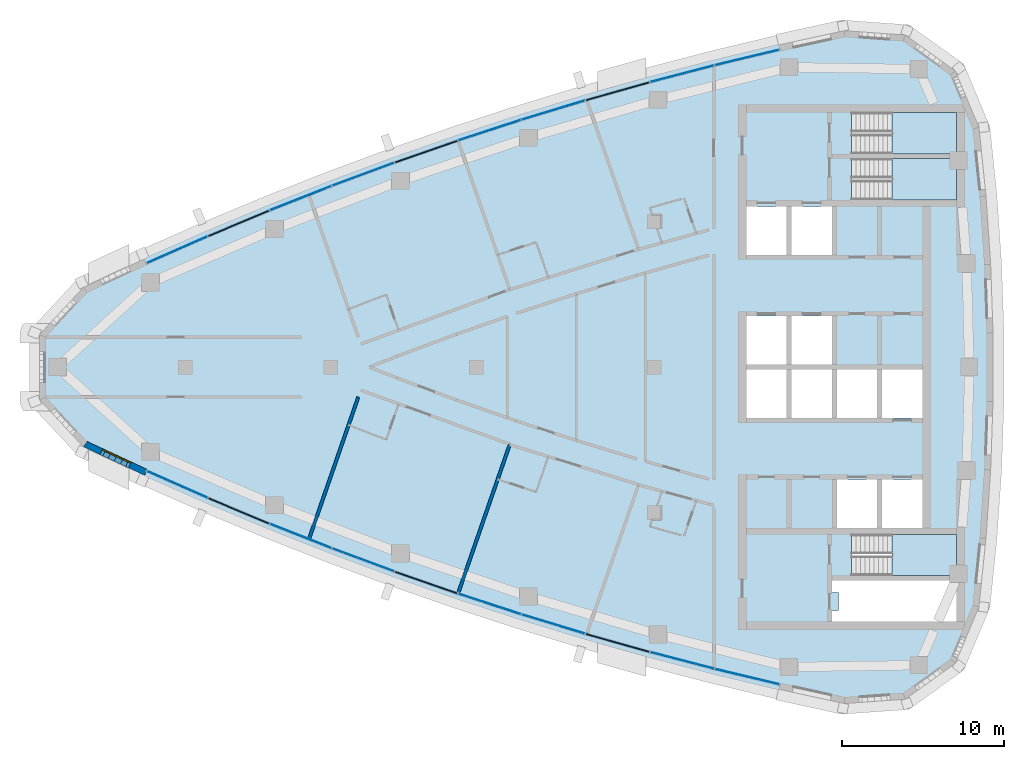
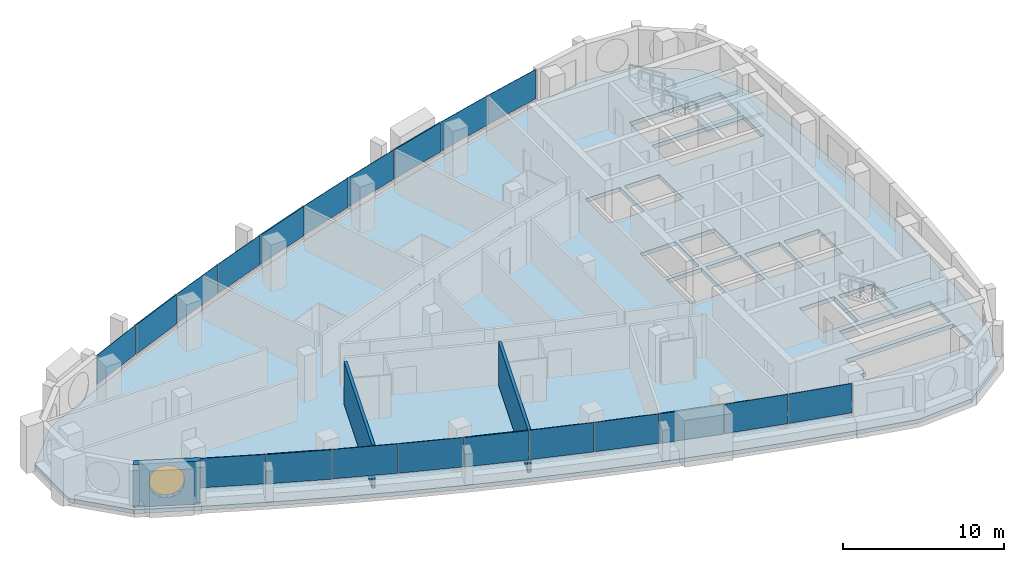
# One storey, part 6 of 15: 20 plates, 4 slabs, 3 walls, 1 window, 2 openings, 13 elements without a shape of their own.
"""IFC4 building model written with IfcOpenShell, lengths in metres."""

from ifc_helpers import new_model, si_unit, direction, frame, frame_2d, origin, origin_2d, place, context, subcontext, project, spatial, polyline, rectangle, outline, extrude, material, layer, layer_set, type_object, element, fill, aggregate, save


model = new_model("IFC4")

# Units and contexts
model_context = context("Model", 3, precision=1e-05, world=origin(), true_north=direction((0.0, 1.0)))
body_context = subcontext(model_context, "Body", "Model", "MODEL_VIEW")
ifc_project = project(units=[si_unit("LENGTHUNIT", "METRE"), si_unit("AREAUNIT", "SQUARE_METRE"), si_unit("VOLUMEUNIT", "CUBIC_METRE"), si_unit("PLANEANGLEUNIT", "RADIAN"), si_unit("MASSUNIT", "GRAM", prefix="KILO")], contexts=[model_context])

# Site, building, storey
site_placement = place(None, origin())
site = spatial("IfcSite", under=ifc_project, at=site_placement, CompositionType="ELEMENT")
building_placement = place(site_placement, origin())
building = spatial("IfcBuilding", under=site, at=building_placement, Name="Ostrand Prow Hotel Tower", CompositionType="ELEMENT")
storey_placement = place(building_placement, frame((0.0, 0.0, 292.75)))
storey = spatial("IfcBuildingStorey", under=building, at=storey_placement, Name="L74", CompositionType="ELEMENT", Elevation=292.75)

# Curtain wall, plate
ifc_material_1 = material(Name="Insulated glass in bronze anodised frame", Category="glass")
ifc_layer_1 = layer(ifc_material_1, 0.199951171875)
ifc_layer_set_1 = layer_set([ifc_layer_1], Name="Insulated glass in bronze anodised frame")
curtain_wall_type = type_object("IfcCurtainWallType", Name="Strip curtain wall, fritted glass over bronze spandrel", PredefinedType="NOTDEFINED", material=ifc_layer_set_1)
curtain_wall_1_placement = place(storey_placement, origin())
curtain_wall_1 = element("IfcCurtainWall", 1, at=curtain_wall_1_placement, inside=storey, type_object=curtain_wall_type, Name="CW1 run CWS1", PredefinedType="NOTDEFINED")
ifc_material_2 = material(Name="Ceramic-fritted glass", Category="glass")
ifc_layer_2 = layer(ifc_material_2, 0.031982421875)
ifc_layer_set_2 = layer_set([ifc_layer_2], Name="Ceramic-fritted glass")
plate_type_1 = type_object("IfcPlateType", Name="Dot-fritted ceramic glass unit 32 mm", PredefinedType="CURTAIN_PANEL", material=ifc_layer_set_2)
plate_1_placement = place(storey_placement, frame((15.493408203125, -7.259765625, 1.02001953125), z_axis=(0.0, 0.0, 1.0), x_axis=(0.914785615941, -0.403939694592, 0.0)))
plate_1 = element("IfcPlate", 2, at=plate_1_placement, type_object=plate_type_1, Name="CW1 PN-D panel 1.2", PredefinedType="CURTAIN_PANEL", context=body_context, shape_type="SweptSolid", body=[
    extrude(rectangle(XDim=4.079833984375, YDim=0.031982421875, at=origin_2d()), origin(), (0.0, 0.0, 1.0), 2.22998046875),
])

# Curtain wall, plates
curtain_wall_2_placement = place(storey_placement, origin())
curtain_wall_2 = element("IfcCurtainWall", 3, at=curtain_wall_2_placement, inside=storey, type_object=curtain_wall_type, Name="CW1 run CWS2", PredefinedType="NOTDEFINED")
plate_2_placement = place(storey_placement, frame((23.132568359375, -10.450927734375, 1.02001953125), z_axis=(0.0, 0.0, 1.0), x_axis=(0.930281895249, -0.366845465248, 0.0)))
plate_2 = element("IfcPlate", 4, at=plate_2_placement, type_object=plate_type_1, Name="CW1 PN-D panel 1.2", PredefinedType="CURTAIN_PANEL", context=body_context, shape_type="SweptSolid", body=[
    extrude(rectangle(XDim=4.079833984375, YDim=0.031982421875, at=origin_2d()), origin(), (0.0, 0.0, 1.0), 2.22998046875),
])
plate_3_placement = place(storey_placement, frame((26.99853515625, -11.930908203125, 1.02001953125), z_axis=(0.0, 0.0, 1.0), x_axis=(0.937468017947, -0.348071422738, 0.0)))
plate_3 = element("IfcPlate", 5, at=plate_3_placement, type_object=plate_type_1, Name="CW1 PN-D panel 2.2", PredefinedType="CURTAIN_PANEL", context=body_context, shape_type="SweptSolid", body=[
    extrude(rectangle(XDim=4.079833984375, YDim=0.031982421875, at=origin_2d()), origin(), (0.0, 0.0, 1.0), 2.22998046875),
])
aggregate(curtain_wall_2, [plate_2, plate_3])

# Curtain wall, plate
curtain_wall_3_placement = place(storey_placement, origin())
curtain_wall_3 = element("IfcCurtainWall", 6, at=curtain_wall_3_placement, inside=storey, type_object=curtain_wall_type, Name="CW1 run CWS3", PredefinedType="NOTDEFINED")
plate_4_placement = place(storey_placement, frame((34.81591796875, -14.65576171875, 1.02001953125), z_axis=(0.0, 0.0, 1.0), x_axis=(0.950700464612, -0.310110668289, 0.0)))
plate_4 = element("IfcPlate", 7, at=plate_4_placement, type_object=plate_type_1, Name="CW1 PN-D panel 2.2", PredefinedType="CURTAIN_PANEL", context=body_context, shape_type="SweptSolid", body=[
    extrude(rectangle(XDim=4.079833984375, YDim=0.031982421875, at=origin_2d()), origin(), (0.0, 0.0, 1.0), 2.22998046875),
])

curtain_wall_4_placement = place(storey_placement, origin())
curtain_wall_4 = element("IfcCurtainWall", 8, at=curtain_wall_4_placement, inside=storey, type_object=curtain_wall_type, Name="CW1 run CWS4", PredefinedType="NOTDEFINED")
plate_5_placement = place(storey_placement, frame((38.76416015625, -15.89990234375, 1.02001953125), z_axis=(0.0, 0.0, 1.0), x_axis=(0.956742015769, -0.290937648411, 0.0)))
plate_5 = element("IfcPlate", 9, at=plate_5_placement, type_object=plate_type_1, Name="CW1 PN-D panel 1.2", PredefinedType="CURTAIN_PANEL", context=body_context, shape_type="SweptSolid", body=[
    extrude(rectangle(XDim=4.079833984375, YDim=0.031982421875, at=origin_2d()), origin(), (0.0, 0.0, 1.0), 2.22998046875),
])

# Curtain wall, plates
curtain_wall_5_placement = place(storey_placement, origin())
curtain_wall_5 = element("IfcCurtainWall", 10, at=curtain_wall_5_placement, inside=storey, type_object=curtain_wall_type, Name="CW1 run CWS5", PredefinedType="NOTDEFINED")
plate_6_placement = place(storey_placement, frame((46.731689453125, -18.148681640625, 1.02001953125), z_axis=(0.0, 0.0, 1.0), x_axis=(0.967662519855, -0.252248384867, 0.0)))
plate_6 = element("IfcPlate", 11, at=plate_6_placement, type_object=plate_type_1, Name="CW1 PN-D panel 1.2", PredefinedType="CURTAIN_PANEL", context=body_context, shape_type="SweptSolid", body=[
    extrude(rectangle(XDim=4.079833984375, YDim=0.031982421875, at=origin_2d()), origin(), (0.0, 0.0, 1.0), 2.22998046875),
])
plate_7_placement = place(storey_placement, frame((50.74755859375, -19.152587890625, 1.02001953125), z_axis=(0.0, 0.0, 1.0), x_axis=(0.972537533869, -0.232746096028, 0.0)))
plate_7 = element("IfcPlate", 12, at=plate_7_placement, type_object=plate_type_1, Name="CW1 PN-D panel 2.2", PredefinedType="CURTAIN_PANEL", context=body_context, shape_type="SweptSolid", body=[
    extrude(rectangle(XDim=4.079833984375, YDim=0.031982421875, at=origin_2d()), origin(), (0.0, 0.0, 1.0), 2.22998046875),
])
aggregate(curtain_wall_5, [plate_6, plate_7])

curtain_wall_6_placement = place(storey_placement, origin())
curtain_wall_6 = element("IfcCurtainWall", 13, at=curtain_wall_6_placement, inside=storey, type_object=curtain_wall_type, Name="CW1 run CWN1", PredefinedType="NOTDEFINED")
plate_8_placement = place(storey_placement, frame((50.74755859375, 19.152587890625, 1.02001953125), z_axis=(0.0, 0.0, 1.0), x_axis=(-0.972537533869, -0.232746096028, 0.0)))
plate_8 = element("IfcPlate", 14, at=plate_8_placement, type_object=plate_type_1, Name="CW1 PN-D panel 1.2", PredefinedType="CURTAIN_PANEL", context=body_context, shape_type="SweptSolid", body=[
    extrude(rectangle(XDim=4.079833984375, YDim=0.031982421875, at=origin_2d()), origin(), (0.0, 0.0, 1.0), 2.22998046875),
])
plate_9_placement = place(storey_placement, frame((46.731689453125, 18.148681640625, 1.02001953125), z_axis=(0.0, 0.0, 1.0), x_axis=(-0.967662519855, -0.252248384867, 0.0)))
plate_9 = element("IfcPlate", 15, at=plate_9_placement, type_object=plate_type_1, Name="CW1 PN-D panel 2.2", PredefinedType="CURTAIN_PANEL", context=body_context, shape_type="SweptSolid", body=[
    extrude(rectangle(XDim=4.079833984375, YDim=0.031982421875, at=origin_2d()), origin(), (0.0, 0.0, 1.0), 2.22998046875),
])
aggregate(curtain_wall_6, [plate_8, plate_9])

# Curtain wall, plate
curtain_wall_7_placement = place(storey_placement, origin())
curtain_wall_7 = element("IfcCurtainWall", 16, at=curtain_wall_7_placement, inside=storey, type_object=curtain_wall_type, Name="CW1 run CWN2", PredefinedType="NOTDEFINED")
plate_10_placement = place(storey_placement, frame((38.76416015625, 15.89990234375, 1.02001953125), z_axis=(0.0, 0.0, 1.0), x_axis=(-0.956742015769, -0.290937648411, 0.0)))
plate_10 = element("IfcPlate", 17, at=plate_10_placement, type_object=plate_type_1, Name="CW1 PN-D panel 2.2", PredefinedType="CURTAIN_PANEL", context=body_context, shape_type="SweptSolid", body=[
    extrude(rectangle(XDim=4.079833984375, YDim=0.031982421875, at=origin_2d()), origin(), (0.0, 0.0, 1.0), 2.22998046875),
])

curtain_wall_8_placement = place(storey_placement, origin())
curtain_wall_8 = element("IfcCurtainWall", 18, at=curtain_wall_8_placement, inside=storey, type_object=curtain_wall_type, Name="CW1 run CWN3", PredefinedType="NOTDEFINED")
plate_11_placement = place(storey_placement, frame((34.81591796875, 14.65576171875, 1.02001953125), z_axis=(0.0, 0.0, 1.0), x_axis=(-0.950700464612, -0.310110668289, 0.0)))
plate_11 = element("IfcPlate", 19, at=plate_11_placement, type_object=plate_type_1, Name="CW1 PN-D panel 1.2", PredefinedType="CURTAIN_PANEL", context=body_context, shape_type="SweptSolid", body=[
    extrude(rectangle(XDim=4.079833984375, YDim=0.031982421875, at=origin_2d()), origin(), (0.0, 0.0, 1.0), 2.22998046875),
])

# Curtain wall, plates
curtain_wall_9_placement = place(storey_placement, origin())
curtain_wall_9 = element("IfcCurtainWall", 20, at=curtain_wall_9_placement, inside=storey, type_object=curtain_wall_type, Name="CW1 run CWN4", PredefinedType="NOTDEFINED")
plate_12_placement = place(storey_placement, frame((26.99853515625, 11.930908203125, 1.02001953125), z_axis=(0.0, 0.0, 1.0), x_axis=(-0.937468017947, -0.348071422738, 0.0)))
plate_12 = element("IfcPlate", 21, at=plate_12_placement, type_object=plate_type_1, Name="CW1 PN-D panel 1.2", PredefinedType="CURTAIN_PANEL", context=body_context, shape_type="SweptSolid", body=[
    extrude(rectangle(XDim=4.079833984375, YDim=0.031982421875, at=origin_2d()), origin(), (0.0, 0.0, 1.0), 2.22998046875),
])
plate_13_placement = place(storey_placement, frame((23.132568359375, 10.450927734375, 1.02001953125), z_axis=(0.0, 0.0, 1.0), x_axis=(-0.930281895249, -0.366845465248, 0.0)))
plate_13 = element("IfcPlate", 22, at=plate_13_placement, type_object=plate_type_1, Name="CW1 PN-D panel 2.2", PredefinedType="CURTAIN_PANEL", context=body_context, shape_type="SweptSolid", body=[
    extrude(rectangle(XDim=4.079833984375, YDim=0.031982421875, at=origin_2d()), origin(), (0.0, 0.0, 1.0), 2.22998046875),
])
aggregate(curtain_wall_9, [plate_12, plate_13])

# Curtain wall, plate
curtain_wall_10_placement = place(storey_placement, origin())
curtain_wall_10 = element("IfcCurtainWall", 23, at=curtain_wall_10_placement, inside=storey, type_object=curtain_wall_type, Name="CW1 run CWN5", PredefinedType="NOTDEFINED")
plate_14_placement = place(storey_placement, frame((15.493408203125, 7.259765625, 1.02001953125), z_axis=(0.0, 0.0, 1.0), x_axis=(-0.914785615941, -0.403939694592, 0.0)))
plate_14 = element("IfcPlate", 24, at=plate_14_placement, type_object=plate_type_1, Name="CW1 PN-D panel 2.2", PredefinedType="CURTAIN_PANEL", context=body_context, shape_type="SweptSolid", body=[
    extrude(rectangle(XDim=4.079833984375, YDim=0.031982421875, at=origin_2d()), origin(), (0.0, 0.0, 1.0), 2.22998046875),
])

# Plate
ifc_material_3 = material(Name="Fritted glass in bronze vent frame", Category="glass")
ifc_layer_3 = layer(ifc_material_3, 0.080078125)
ifc_layer_set_3 = layer_set([ifc_layer_3], Name="Fritted glass in bronze vent frame")
plate_type_2 = type_object("IfcPlateType", Name="Operable vent panel 80 mm", PredefinedType="CURTAIN_PANEL", material=ifc_layer_set_3)
plate_15_placement = place(storey_placement, frame((19.297119140625, -8.893798828125, 1.02001953125), z_axis=(0.0, 0.0, 1.0), x_axis=(0.922719840955, -0.385471263659, 0.0)))
plate_15 = element("IfcPlate", 25, at=plate_15_placement, type_object=plate_type_2, Name="CW1 PN-O2 panel 2.2", PredefinedType="CURTAIN_PANEL", context=body_context, shape_type="SweptSolid", body=[
    extrude(rectangle(XDim=4.079833984375, YDim=0.080078125, at=origin_2d()), origin(), (0.0, 0.0, 1.0), 2.22998046875),
])

aggregate(curtain_wall_1, [plate_1, plate_15])

plate_16_placement = place(storey_placement, frame((30.8935546875, -13.33251953125, 1.02001953125), z_axis=(0.0, 0.0, 1.0), x_axis=(0.944274730614, -0.329158370885, 0.0)))
plate_16 = element("IfcPlate", 26, at=plate_16_placement, type_object=plate_type_2, Name="CW1 PN-O2 panel 1.2", PredefinedType="CURTAIN_PANEL", context=body_context, shape_type="SweptSolid", body=[
    extrude(rectangle(XDim=4.079833984375, YDim=0.080078125, at=origin_2d()), origin(), (0.0, 0.0, 1.0), 2.22998046875),
])

aggregate(curtain_wall_3, [plate_16, plate_4])

plate_17_placement = place(storey_placement, frame((42.736572265625, -17.064453125, 1.02001953125), z_axis=(0.0, 0.0, 1.0), x_axis=(0.962396468548, -0.271648738865, 0.0)))
plate_17 = element("IfcPlate", 27, at=plate_17_placement, type_object=plate_type_2, Name="CW1 PN-O2 panel 2.2", PredefinedType="CURTAIN_PANEL", context=body_context, shape_type="SweptSolid", body=[
    extrude(rectangle(XDim=4.079833984375, YDim=0.080078125, at=origin_2d()), origin(), (0.0, 0.0, 1.0), 2.22998046875),
])

aggregate(curtain_wall_4, [plate_5, plate_17])

plate_18_placement = place(storey_placement, frame((42.736572265625, 17.064453125, 1.02001953125), z_axis=(0.0, 0.0, 1.0), x_axis=(-0.962396468548, -0.271648738865, 0.0)))
plate_18 = element("IfcPlate", 28, at=plate_18_placement, type_object=plate_type_2, Name="CW1 PN-O2 panel 1.2", PredefinedType="CURTAIN_PANEL", context=body_context, shape_type="SweptSolid", body=[
    extrude(rectangle(XDim=4.079833984375, YDim=0.080078125, at=origin_2d()), origin(), (0.0, 0.0, 1.0), 2.22998046875),
])

aggregate(curtain_wall_7, [plate_18, plate_10])

plate_19_placement = place(storey_placement, frame((30.8935546875, 13.33251953125, 1.02001953125), z_axis=(0.0, 0.0, 1.0), x_axis=(-0.944274730614, -0.329158370885, 0.0)))
plate_19 = element("IfcPlate", 29, at=plate_19_placement, type_object=plate_type_2, Name="CW1 PN-O2 panel 2.2", PredefinedType="CURTAIN_PANEL", context=body_context, shape_type="SweptSolid", body=[
    extrude(rectangle(XDim=4.079833984375, YDim=0.080078125, at=origin_2d()), origin(), (0.0, 0.0, 1.0), 2.22998046875),
])

aggregate(curtain_wall_8, [plate_11, plate_19])

plate_20_placement = place(storey_placement, frame((19.297119140625, 8.893798828125, 1.02001953125), z_axis=(0.0, 0.0, 1.0), x_axis=(-0.922719840955, -0.385471263659, 0.0)))
plate_20 = element("IfcPlate", 30, at=plate_20_placement, type_object=plate_type_2, Name="CW1 PN-O2 panel 1.2", PredefinedType="CURTAIN_PANEL", context=body_context, shape_type="SweptSolid", body=[
    extrude(rectangle(XDim=4.079833984375, YDim=0.080078125, at=origin_2d()), origin(), (0.0, 0.0, 1.0), 2.22998046875),
])

aggregate(curtain_wall_10, [plate_20, plate_14])

# Slab, opening
ifc_material_4 = material(Name="Concrete C40/50", Category="concrete")
ifc_layer_4 = layer(ifc_material_4, 0.300048828125)
ifc_layer_set_4 = layer_set([ifc_layer_4], Name="Concrete C40/50")
slab_type_1 = type_object("IfcSlabType", Name="PT flat plate 300 C40/50", PredefinedType="FLOOR", material=ifc_layer_set_4)
slab_1_placement = place(storey_placement, frame((0.0, 0.0, -0.300048828125)))
slab_1 = element("IfcSlab", 31, at=slab_1_placement, inside=storey, type_object=slab_type_1, Name="Floor slab L74-1", PredefinedType="FLOOR", context=body_context, shape_type="SweptSolid", body=[
    extrude(outline(polyline([(9.560791015625, 5.168212890625), (13.365478515625, 6.9404296875), (17.1630859375, 8.6171875), (20.993408203125, 10.21728515625), (24.855224609375, 11.740234375), (28.746826171875, 13.185302734375), (32.666748046875, 14.551513671875), (36.61328125, 15.8388671875), (40.5849609375, 17.046630859375), (44.580078125, 18.17431640625), (48.596923828125, 19.221435546875), (52.634033203125, 20.187744140625), (56.72265625, 21.07958984375), (60.634765625, 20.80029296875), (63.84765625, 18.49072265625), (65.35888671875, 14.87060546875), (65.796875, 10.611083984375), (66.0869140625, 6.37158203125), (66.23193359375, 2.124755859375), (66.23193359375, -2.124755859375), (66.0869140625, -6.37158203125), (65.796875, -10.611083984375), (65.35888671875, -14.87060546875), (63.84765625, -18.49072265625), (60.634765625, -20.80029296875), (56.72265625, -21.07958984375), (52.634033203125, -20.187744140625), (48.596923828125, -19.221435546875), (44.580078125, -18.17431640625), (40.5849609375, -17.046630859375), (36.61328125, -15.8388671875), (32.666748046875, -14.551513671875), (28.746826171875, -13.185302734375), (24.855224609375, -11.740234375), (20.993408203125, -10.21728515625), (17.1630859375, -8.6171875), (13.365478515625, -6.9404296875), (9.560791015625, -5.168212890625), (6.71484375, -2.112548828125), (6.71484375, 2.112548828125), (9.560791015625, 5.168212890625)]), holes=[polyline([(50.699951171875, 6.949951171875), (53.199951171875, 6.949951171875), (53.199951171875, 9.949951171875), (50.699951171875, 9.949951171875), (50.699951171875, 6.949951171875)]), polyline([(53.5, 6.949951171875), (56.0, 6.949951171875), (56.0, 9.949951171875), (53.5, 9.949951171875), (53.5, 6.949951171875)]), polyline([(50.699951171875, 0.14990234375), (53.199951171875, 0.14990234375), (53.199951171875, 3.14990234375), (50.699951171875, 3.14990234375), (50.699951171875, 0.14990234375)]), polyline([(53.5, 0.14990234375), (56.0, 0.14990234375), (56.0, 3.14990234375), (53.5, 3.14990234375), (53.5, 0.14990234375)]), polyline([(50.699951171875, -3.14990234375), (53.199951171875, -3.14990234375), (53.199951171875, -0.14990234375), (50.699951171875, -0.14990234375), (50.699951171875, -3.14990234375)]), polyline([(53.5, -3.14990234375), (56.0, -3.14990234375), (56.0, -0.14990234375), (53.5, -0.14990234375), (53.5, -3.14990234375)]), polyline([(56.300048828125, -3.14990234375), (58.800048828125, -3.14990234375), (58.800048828125, -0.14990234375), (56.300048828125, -0.14990234375), (56.300048828125, -3.14990234375)]), polyline([(59.10009765625, -3.14990234375), (61.60009765625, -3.14990234375), (61.60009765625, -0.14990234375), (59.10009765625, -0.14990234375), (59.10009765625, -3.14990234375)]), polyline([(56.300048828125, -9.949951171875), (58.800048828125, -9.949951171875), (58.800048828125, -6.949951171875), (56.300048828125, -6.949951171875), (56.300048828125, -9.949951171875)]), polyline([(59.10009765625, -9.949951171875), (61.60009765625, -9.949951171875), (61.60009765625, -6.949951171875), (59.10009765625, -6.949951171875), (59.10009765625, -9.949951171875)]), polyline([(57.200927734375, 10.35107421875), (57.200927734375, 12.89892578125), (63.718994140625, 12.89892578125), (63.718994140625, 10.35107421875), (57.200927734375, 10.35107421875)]), polyline([(57.200927734375, 13.200927734375), (57.200927734375, 15.7490234375), (63.718994140625, 15.7490234375), (63.718994140625, 13.200927734375), (57.200927734375, 13.200927734375)]), polyline([(57.200927734375, -12.89892578125), (57.200927734375, -10.35107421875), (63.718994140625, -10.35107421875), (63.718994140625, -12.89892578125), (57.200927734375, -12.89892578125)]), polyline([(56.0, -13.949951171875), (56.0, -13.199951171875), (63.719970703125, -13.199951171875), (63.719970703125, -15.75), (56.0, -15.75), (56.0, -15.050048828125), (56.39990234375, -15.050048828125), (56.39990234375, -13.949951171875), (56.0, -13.949951171875)])]), origin(), (0.0, 0.0, 1.0), 0.300048828125),
])
opening_1_placement = place(slab_1_placement, origin())
element("IfcOpeningElement", 32, at=opening_1_placement, cuts=slab_1, Name="Shaft opening 1", PredefinedType="OPENING", context=body_context, shape_type="SweptSolid", body=[
    extrude(outline(polyline([(56.0, -13.949951171875), (56.0, -13.199951171875), (63.719970703125, -13.199951171875), (63.719970703125, -15.75), (56.0, -15.75), (56.0, -15.050048828125), (56.39990234375, -15.050048828125), (56.39990234375, -13.949951171875), (56.0, -13.949951171875)])), origin(), (0.0, 0.0, 1.0), 0.300048828125),
])

# Stair, slab
ifc_material_5 = material(Name="Concrete C40/50", Category="concrete")
stair_type = type_object("IfcStairType", Name="Exit stair 1200 upper zone", PredefinedType="HALF_TURN_STAIR", material=ifc_material_5)
stair_1_placement = place(storey_placement, origin())
stair_1 = element("IfcStair", 33, at=stair_1_placement, inside=storey, type_object=stair_type, Name="L74 ST1C", PredefinedType="HALF_TURN_STAIR")
ifc_material_6 = material(Name="Concrete C40/50", Category="concrete")
ifc_layer_5 = layer(ifc_material_6, 0.199951171875)
ifc_layer_set_5 = layer_set([ifc_layer_5], Name="Concrete C40/50")
slab_type_2 = type_object("IfcSlabType", Name="Stair landing 200 concrete", PredefinedType="LANDING", material=ifc_layer_set_5)
slab_2_placement = place(storey_placement, frame((0.0, 0.0, 1.574951171875)))
slab_2 = element("IfcSlab", 34, at=slab_2_placement, type_object=slab_type_2, Name="ST1C landing 1", PredefinedType="LANDING", context=body_context, shape_type="SweptSolid", body=[
    extrude(outline(polyline([(59.719970703125, 10.35009765625), (63.719970703125, 10.35009765625), (63.719970703125, 12.89990234375), (59.719970703125, 12.89990234375), (59.719970703125, 10.35009765625)])), origin(), (0.0, 0.0, 1.0), 0.199951171875),
])
aggregate(stair_1, [slab_2])

stair_2_placement = place(storey_placement, origin())
stair_2 = element("IfcStair", 35, at=stair_2_placement, inside=storey, type_object=stair_type, Name="L74 ST3C", PredefinedType="HALF_TURN_STAIR")
slab_3_placement = place(storey_placement, frame((0.0, 0.0, 1.574951171875)))
slab_3 = element("IfcSlab", 36, at=slab_3_placement, type_object=slab_type_2, Name="ST3C landing 1", PredefinedType="LANDING", context=body_context, shape_type="SweptSolid", body=[
    extrude(outline(polyline([(59.719970703125, 13.199951171875), (63.719970703125, 13.199951171875), (63.719970703125, 15.75), (59.719970703125, 15.75), (59.719970703125, 13.199951171875)])), origin(), (0.0, 0.0, 1.0), 0.199951171875),
])
aggregate(stair_2, [slab_3])

stair_3_placement = place(storey_placement, origin())
stair_3 = element("IfcStair", 37, at=stair_3_placement, inside=storey, type_object=stair_type, Name="L74 ST2C", PredefinedType="HALF_TURN_STAIR")
slab_4_placement = place(storey_placement, frame((0.0, 0.0, 1.574951171875)))
slab_4 = element("IfcSlab", 38, at=slab_4_placement, type_object=slab_type_2, Name="ST2C landing 1", PredefinedType="LANDING", context=body_context, shape_type="SweptSolid", body=[
    extrude(outline(polyline([(59.719970703125, -12.89990234375), (63.719970703125, -12.89990234375), (63.719970703125, -10.35009765625), (59.719970703125, -10.35009765625), (59.719970703125, -12.89990234375)])), origin(), (0.0, 0.0, 1.0), 0.199951171875),
])
aggregate(stair_3, [slab_4])

# Walls
ifc_material_7 = material(Name="Plasterboard partition")
ifc_layer_6 = layer(ifc_material_7, 0.199951171875)
ifc_layer_set_6 = layer_set([ifc_layer_6], Name="Plasterboard partition")
wall_type_1 = type_object("IfcWallType", Name="Partition 200 key partition", PredefinedType="PARTITIONING", material=ifc_layer_set_6)
wall_1_placement = place(storey_placement, frame((23.66845703125, -10.573486328125, 0.0), z_axis=(0.0, 0.0, 1.0), x_axis=(0.327714422317, 0.944776829418, 0.0)))
element("IfcWall", 39, at=wall_1_placement, inside=storey, type_object=wall_type_1, Name="KEY PARTITION", PredefinedType="PARTITIONING", context=body_context, shape_type="SweptSolid", body=[
    extrude(rectangle(XDim=9.2333984375, YDim=0.199951171875, at=frame_2d((4.61669921875, 0.0))), origin(), (0.0, 0.0, 1.0), 3.25),
])
wall_2_placement = place(storey_placement, frame((32.891357421875, -13.941162109375, 0.0), z_axis=(0.0, 0.0, 1.0), x_axis=(0.327725028322, 0.94477315045, 0.0)))
element("IfcWall", 40, at=wall_2_placement, inside=storey, type_object=wall_type_1, Name="KEY PARTITION", PredefinedType="PARTITIONING", context=body_context, shape_type="SweptSolid", body=[
    extrude(rectangle(XDim=9.70166015625, YDim=0.199951171875, at=frame_2d((4.850830078125, 0.0))), origin(), (0.0, 0.0, 1.0), 3.25),
])

# Wall, opening, window
ifc_material_8 = material(Name="Precast concrete C40/50", Category="concrete")
ifc_layer_7 = layer(ifc_material_8, 0.39990234375)
ifc_layer_set_7 = layer_set([ifc_layer_7], Name="Precast concrete C40/50")
wall_type_2 = type_object("IfcWallType", Name="Stone-faced precast wall 400 mm", PredefinedType="NOTDEFINED", material=ifc_layer_set_7)
wall_3_placement = place(storey_placement, frame((9.80419921875, -4.765869140625, 0.0), z_axis=(0.0, 0.0, 1.0), x_axis=(0.906485602396, -0.42223672584, 0.0)))
wall_3 = element("IfcWall", 41, at=wall_3_placement, inside=storey, type_object=wall_type_2, Name="Stone-faced wall prow 5", PredefinedType="NOTDEFINED", context=body_context, shape_type="SweptSolid", body=[
    extrude(outline(polyline([(-0.0390625, -0.199951171875), (4.1416015625, -0.199951171875), (4.1416015625, 0.199951171875), (0.0390625, 0.199951171875), (-0.0390625, -0.199951171875)])), origin(), (0.0, 0.0, 1.0), 3.25),
])
opening_2_placement = place(wall_3_placement, frame((0.970947265625, 0.0, 0.60009765625)))
opening_2 = element("IfcOpeningElement", 42, at=opening_2_placement, cuts=wall_3, Name="Opening WP2", PredefinedType="OPENING", context=body_context, shape_type="SweptSolid", body=[
    extrude(outline(polyline([(0.0, 1.35009765625), (0.083740234375, 1.77099609375), (0.322265625, 2.127685546875), (0.678955078125, 2.3662109375), (1.10009765625, 2.449951171875), (1.52099609375, 2.3662109375), (1.877685546875, 2.127685546875), (2.1162109375, 1.77099609375), (2.199951171875, 1.35009765625), (2.199951171875, 1.10009765625), (2.1162109375, 0.678955078125), (1.877685546875, 0.322265625), (1.52099609375, 0.083740234375), (1.10009765625, 0.0), (0.678955078125, 0.083740234375), (0.322265625, 0.322265625), (0.083740234375, 0.678955078125), (0.0, 1.099853515625), (0.0, 1.35009765625)])), frame((0.0, 0.2099609375, 0.0), z_axis=(0.0, -1.0, 0.0), x_axis=(1.0, 0.0, 0.0)), (0.0, 0.0, 1.0), 0.419921875),
])
ifc_material_9 = material(Name="Insulated glass in bronze frame", Category="glass")
window_type = type_object("IfcWindowType", Name="Round-ended prow lounge window 2200x2450", PartitioningType="SINGLE_PANEL", PredefinedType="WINDOW", material=ifc_material_9)
window_placement = place(opening_2_placement, origin())
window = element("IfcWindow", 43, at=window_placement, inside=storey, type_object=window_type, Name="Window prow 5.1", OverallHeight=2.449951171875, OverallWidth=2.199951171875, PartitioningType="SINGLE_PANEL", PredefinedType="WINDOW", context=body_context, shape_type="SweptSolid", body=[
    extrude(outline(polyline([(0.0, 1.35009765625), (0.083740234375, 1.77099609375), (0.322265625, 2.127685546875), (0.678955078125, 2.3662109375), (1.10009765625, 2.449951171875), (1.52099609375, 2.3662109375), (1.877685546875, 2.127685546875), (2.1162109375, 1.77099609375), (2.199951171875, 1.35009765625), (2.199951171875, 1.10009765625), (2.1162109375, 0.678955078125), (1.877685546875, 0.322265625), (1.52099609375, 0.083740234375), (1.10009765625, 0.0), (0.678955078125, 0.083740234375), (0.322265625, 0.322265625), (0.083740234375, 0.678955078125), (0.0, 1.099853515625), (0.0, 1.35009765625)])), frame((0.0, 0.169921875, 0.0), z_axis=(0.0, -1.0, 0.0), x_axis=(1.0, 0.0, 0.0)), (0.0, 0.0, 1.0), 0.06005859375),
])
fill(opening_2, window)

save(model, "model.ifc")
